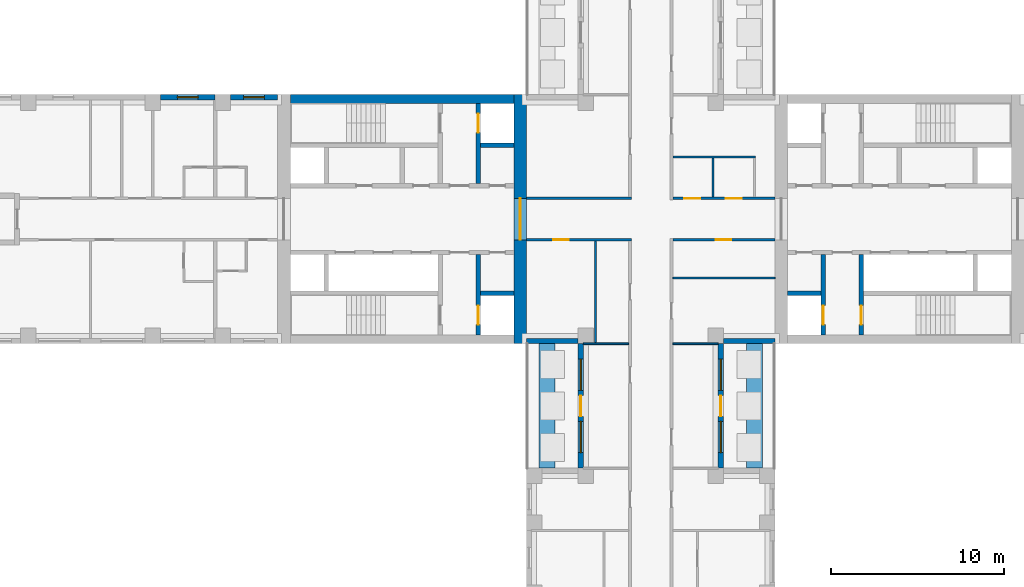
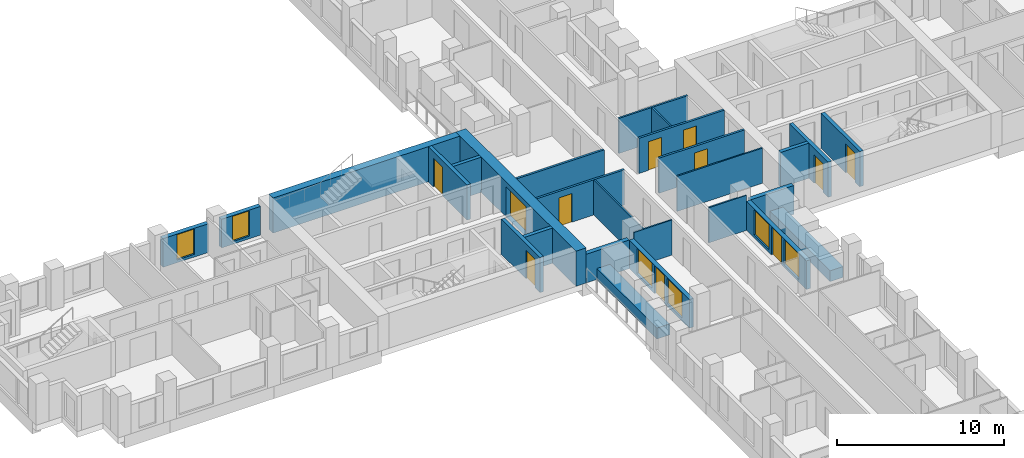
# One storey, part 7 of 15: 27 walls, 11 doors, 6 windows, 17 openings.
"""IFC4 building model written with IfcOpenShell, lengths in metres."""

from ifc_helpers import new_model, si_unit, direction, frame, frame_2d, origin, place, context, subcontext, project, spatial, rectangle, extrude, material, layer, layer_set, type_object, element, fill, save


model = new_model("IFC4")

# Units and contexts
model_context = context("Model", 3, precision=1e-05, world=origin(), true_north=direction((0.0, 1.0)))
body_context = subcontext(model_context, "Body", "Model", "MODEL_VIEW")
ifc_project = project(units=[si_unit("LENGTHUNIT", "METRE"), si_unit("AREAUNIT", "SQUARE_METRE"), si_unit("VOLUMEUNIT", "CUBIC_METRE"), si_unit("PLANEANGLEUNIT", "RADIAN"), si_unit("MASSUNIT", "GRAM", prefix="KILO")], contexts=[model_context])

# Site, building, storey
site_placement = place(None, origin())
site = spatial("IfcSite", under=ifc_project, at=site_placement, CompositionType="ELEMENT")
building_placement = place(site_placement, origin())
building = spatial("IfcBuilding", under=site, at=building_placement, Name="Fustian Cross Tower", CompositionType="ELEMENT")
storey_placement = place(building_placement, frame((0.0, 0.0, 47.699951171875)))
storey = spatial("IfcBuildingStorey", under=building, at=storey_placement, Name="L14", CompositionType="ELEMENT", Elevation=47.699951171875)

# Wall, opening, door
ifc_material_1 = material(Name="Plasterboard on steel stud", Category="steel")
ifc_layer_1 = layer(ifc_material_1, 0.14990234375)
ifc_layer_set_1 = layer_set([ifc_layer_1], Name="Plasterboard on steel stud")
wall_type_1 = type_object("IfcWallType", Name="COMPARTMENT WALL 150 EI 60", PredefinedType="PARTITIONING", material=ifc_layer_set_1)
wall_1_placement = place(storey_placement, frame((-7.199951171875, -1.199951171875, 0.0), z_axis=(0.0, 0.0, 1.0), x_axis=(1.0, 0.0, 0.0)))
wall_1 = element("IfcWall", 1, at=wall_1_placement, inside=storey, type_object=wall_type_1, Name="Partition 16", PredefinedType="PARTITIONING", context=body_context, shape_type="SweptSolid", body=[
    extrude(rectangle(XDim=6.074951171875, YDim=0.14990234375, at=frame_2d((3.03759765625, 0.0))), origin(), (0.0, 0.0, 1.0), 2.574951171875),
])
opening_1_placement = place(wall_1_placement, frame((1.550048828125, 0.0, 0.0)))
opening_1 = element("IfcOpeningElement", 2, at=opening_1_placement, cuts=wall_1, Name="Opening D08008", PredefinedType="OPENING", context=body_context, shape_type="SweptSolid", body=[
    extrude(rectangle(XDim=0.89990234375, YDim=2.10009765625, at=frame_2d((0.449951171875, 1.050048828125))), frame((0.0, 0.0849609375, 0.0), z_axis=(0.0, -1.0, 0.0), x_axis=(1.0, 0.0, 0.0)), (0.0, 0.0, 1.0), 0.169921875),
])
ifc_material_2 = material(Name="Timber fire door set", Category="wood")
door_type_1 = type_object("IfcDoorType", Name="FIRE SWING DOOR 900 FD30S", OperationType="SINGLE_SWING_LEFT", PredefinedType="DOOR", material=ifc_material_2)
door_1_placement = place(opening_1_placement, frame((0.89990234375, 0.0, 0.0), z_axis=(0.0, 0.0, 1.0), x_axis=(-1.0, 0.0, 0.0)))
door_1 = element("IfcDoor", 3, at=door_1_placement, inside=storey, type_object=door_type_1, Name="Door D08008", OperationType="SINGLE_SWING_RIGHT", OverallHeight=2.10009765625, OverallWidth=0.89990234375, PredefinedType="DOOR", context=body_context, shape_type="SweptSolid", body=[
    extrude(rectangle(XDim=0.89990234375, YDim=2.10009765625, at=frame_2d((0.449951171875, 1.050048828125))), frame((0.0, 0.02490234375, 0.0), z_axis=(0.0, -1.0, 0.0), x_axis=(1.0, 0.0, 0.0)), (0.0, 0.0, 1.0), 0.050048828125),
])
fill(opening_1, door_1)

# Wall
wall_2_placement = place(storey_placement, frame((-7.199951171875, 1.199951171875, 0.0), z_axis=(0.0, 0.0, 1.0), x_axis=(1.0, 0.0, 0.0)))
element("IfcWall", 4, at=wall_2_placement, inside=storey, type_object=wall_type_1, Name="Partition 17", PredefinedType="PARTITIONING", context=body_context, shape_type="SweptSolid", body=[
    extrude(rectangle(XDim=6.074951171875, YDim=0.14990234375, at=frame_2d((3.03759765625, 0.0))), origin(), (0.0, 0.0, 1.0), 2.574951171875),
])

# Wall, opening, door
wall_3_placement = place(storey_placement, frame((1.27490234375, -1.199951171875, 0.0), z_axis=(0.0, 0.0, 1.0), x_axis=(1.0, 0.0, 0.0)))
wall_3 = element("IfcWall", 5, at=wall_3_placement, inside=storey, type_object=wall_type_1, Name="Partition 50", PredefinedType="PARTITIONING", context=body_context, shape_type="SweptSolid", body=[
    extrude(rectangle(XDim=5.925048828125, YDim=0.14990234375, at=frame_2d((2.96240234375, 0.0))), origin(), (0.0, 0.0, 1.0), 2.574951171875),
])
opening_2_placement = place(wall_3_placement, frame((2.47509765625, 0.0, 0.0)))
opening_2 = element("IfcOpeningElement", 6, at=opening_2_placement, cuts=wall_3, Name="Opening D08005", PredefinedType="OPENING", context=body_context, shape_type="SweptSolid", body=[
    extrude(rectangle(XDim=0.89990234375, YDim=2.10009765625, at=frame_2d((0.449951171875, 1.050048828125))), frame((0.0, 0.0849609375, 0.0), z_axis=(0.0, -1.0, 0.0), x_axis=(1.0, 0.0, 0.0)), (0.0, 0.0, 1.0), 0.169921875),
])
door_2_placement = place(opening_2_placement, frame((0.89990234375, 0.0, 0.0), z_axis=(0.0, 0.0, 1.0), x_axis=(-1.0, 0.0, 0.0)))
door_2 = element("IfcDoor", 7, at=door_2_placement, inside=storey, type_object=door_type_1, Name="Door D08005", OperationType="SINGLE_SWING_RIGHT", OverallHeight=2.10009765625, OverallWidth=0.89990234375, PredefinedType="DOOR", context=body_context, shape_type="SweptSolid", body=[
    extrude(rectangle(XDim=0.89990234375, YDim=2.10009765625, at=frame_2d((0.449951171875, 1.050048828125))), frame((0.0, 0.02490234375, 0.0), z_axis=(0.0, -1.0, 0.0), x_axis=(1.0, 0.0, 0.0)), (0.0, 0.0, 1.0), 0.050048828125),
])
fill(opening_2, door_2)

# Wall, openings, doors
wall_4_placement = place(storey_placement, frame((1.27490234375, 1.199951171875, 0.0), z_axis=(0.0, 0.0, 1.0), x_axis=(1.0, 0.0, 0.0)))
wall_4 = element("IfcWall", 8, at=wall_4_placement, inside=storey, type_object=wall_type_1, Name="Partition 52", PredefinedType="PARTITIONING", context=body_context, shape_type="SweptSolid", body=[
    extrude(rectangle(XDim=5.925048828125, YDim=0.14990234375, at=frame_2d((2.96240234375, 0.0))), origin(), (0.0, 0.0, 1.0), 2.574951171875),
])
opening_3_placement = place(wall_4_placement, frame((0.675048828125, 0.0, 0.0)))
opening_3 = element("IfcOpeningElement", 9, at=opening_3_placement, cuts=wall_4, Name="Opening D08001", PredefinedType="OPENING", context=body_context, shape_type="SweptSolid", body=[
    extrude(rectangle(XDim=0.89990234375, YDim=2.10009765625, at=frame_2d((0.449951171875, 1.050048828125))), frame((0.0, 0.0849609375, 0.0), z_axis=(0.0, -1.0, 0.0), x_axis=(1.0, 0.0, 0.0)), (0.0, 0.0, 1.0), 0.169921875),
])
opening_4_placement = place(wall_4_placement, frame((3.074951171875, 0.0, 0.0)))
opening_4 = element("IfcOpeningElement", 10, at=opening_4_placement, cuts=wall_4, Name="Opening D08002", PredefinedType="OPENING", context=body_context, shape_type="SweptSolid", body=[
    extrude(rectangle(XDim=0.89990234375, YDim=2.10009765625, at=frame_2d((0.449951171875, 1.050048828125))), frame((0.0, 0.0849609375, 0.0), z_axis=(0.0, -1.0, 0.0), x_axis=(1.0, 0.0, 0.0)), (0.0, 0.0, 1.0), 0.169921875),
])
door_3_placement = place(opening_3_placement, origin())
door_3 = element("IfcDoor", 11, at=door_3_placement, inside=storey, type_object=door_type_1, Name="Door D08001", OperationType="SINGLE_SWING_LEFT", OverallHeight=2.10009765625, OverallWidth=0.89990234375, PredefinedType="DOOR", context=body_context, shape_type="SweptSolid", body=[
    extrude(rectangle(XDim=0.89990234375, YDim=2.10009765625, at=frame_2d((0.449951171875, 1.050048828125))), frame((0.0, 0.02490234375, 0.0), z_axis=(0.0, -1.0, 0.0), x_axis=(1.0, 0.0, 0.0)), (0.0, 0.0, 1.0), 0.050048828125),
])
fill(opening_3, door_3)
door_4_placement = place(opening_4_placement, origin())
door_4 = element("IfcDoor", 12, at=door_4_placement, inside=storey, type_object=door_type_1, Name="Door D08002", OperationType="SINGLE_SWING_LEFT", OverallHeight=2.10009765625, OverallWidth=0.89990234375, PredefinedType="DOOR", context=body_context, shape_type="SweptSolid", body=[
    extrude(rectangle(XDim=0.89990234375, YDim=2.10009765625, at=frame_2d((0.449951171875, 1.050048828125))), frame((0.0, 0.02490234375, 0.0), z_axis=(0.0, -1.0, 0.0), x_axis=(1.0, 0.0, 0.0)), (0.0, 0.0, 1.0), 0.050048828125),
])
fill(opening_4, door_4)

# Wall, opening, door
ifc_material_3 = material(Name="Concrete C80/95", Category="concrete")
ifc_layer_2 = layer(ifc_material_3, 0.699951171875)
ifc_layer_set_2 = layer_set([ifc_layer_2], Name="Concrete C80/95")
wall_type_2 = type_object("IfcWallType", Name="CORE END WALL 700 C80/95", PredefinedType="SHEAR", material=ifc_layer_set_2)
wall_5_placement = place(storey_placement, frame((-7.550048828125, -7.199951171875, 0.0), z_axis=(0.0, 0.0, 1.0), x_axis=(0.0, 1.0, 0.0)))
wall_5 = element("IfcWall", 13, at=wall_5_placement, inside=storey, type_object=wall_type_2, Name="Core end wall", PredefinedType="SHEAR", context=body_context, shape_type="SweptSolid", body=[
    extrude(rectangle(XDim=14.39990234375, YDim=0.699951171875, at=frame_2d((7.199951171875, 0.0))), origin(), (0.0, 0.0, 1.0), 2.574951171875),
])
opening_5_placement = place(wall_5_placement, frame((6.0, 0.0, 0.0)))
opening_5 = element("IfcOpeningElement", 14, at=opening_5_placement, cuts=wall_5, Name="Opening CD-05-27", PredefinedType="OPENING", context=body_context, shape_type="SweptSolid", body=[
    extrude(rectangle(XDim=2.39990234375, YDim=2.199951171875, at=frame_2d((1.199951171875, 1.10009765625))), frame((0.0, 0.35986328125, 0.0), z_axis=(0.0, -1.0, 0.0), x_axis=(1.0, 0.0, 0.0)), (0.0, 0.0, 1.0), 0.719970703125),
])
ifc_material_4 = material(Name="Steel", Category="steel")
door_type_2 = type_object("IfcDoorType", Name="FIRE DOOR FD30S DOUBLE 2400X2200", OperationType="DOUBLE_DOOR_DOUBLE_SWING", PredefinedType="DOOR", material=ifc_material_4)
door_5_placement = place(opening_5_placement, origin())
door_5 = element("IfcDoor", 15, at=door_5_placement, inside=storey, type_object=door_type_2, Name="Core door CD-05-27", OperationType="DOUBLE_DOOR_DOUBLE_SWING", OverallHeight=2.199951171875, OverallWidth=2.39990234375, PredefinedType="DOOR", context=body_context, shape_type="SweptSolid", body=[
    extrude(rectangle(XDim=2.39990234375, YDim=2.199951171875, at=frame_2d((1.199951171875, 1.10009765625))), frame((0.0, 0.02490234375, 0.0), z_axis=(0.0, -1.0, 0.0), x_axis=(1.0, 0.0, 0.0)), (0.0, 0.0, 1.0), 0.050048828125),
])
fill(opening_5, door_5)

# Walls
ifc_material_5 = material(Name="Concrete C80/95", Category="concrete")
ifc_layer_3 = layer(ifc_material_5, 0.5)
ifc_layer_set_3 = layer_set([ifc_layer_3], Name="Concrete C80/95")
wall_type_3 = type_object("IfcWallType", Name="CORE FACADE WALL 500 C80/95", PredefinedType="SHEAR", material=ifc_layer_set_3)
wall_6_placement = place(storey_placement, frame((-7.89990234375, 6.949951171875, 0.0), z_axis=(0.0, 0.0, 1.0), x_axis=(-1.0, 0.0, 0.0)))
element("IfcWall", 16, at=wall_6_placement, inside=storey, type_object=wall_type_3, Name="Core facade wall", PredefinedType="SHEAR", context=body_context, shape_type="SweptSolid", body=[
    extrude(rectangle(XDim=12.9501953125, YDim=0.5, at=frame_2d((6.47509765625, 0.0))), origin(), (0.0, 0.0, 1.0), 2.574951171875),
])
ifc_material_6 = material(Name="Concrete C50/60", Category="concrete")
ifc_layer_4 = layer(ifc_material_6, 0.25)
ifc_layer_set_4 = layer_set([ifc_layer_4], Name="Concrete C50/60")
wall_type_4 = type_object("IfcWallType", Name="CORE SHAFT WALL 250 C50/60", PredefinedType="SHEAR", material=ifc_layer_set_4)
wall_7_placement = place(storey_placement, frame((7.89990234375, -4.27490234375, 0.0), z_axis=(0.0, 0.0, 1.0), x_axis=(1.0, 0.0, 0.0)))
element("IfcWall", 17, at=wall_7_placement, inside=storey, type_object=wall_type_4, Name="Core shaft wall", PredefinedType="SHEAR", context=body_context, shape_type="SweptSolid", body=[
    extrude(rectangle(XDim=1.9501953125, YDim=0.25, at=frame_2d((0.97509765625, 0.0))), origin(), (0.0, 0.0, 1.0), 2.574951171875),
])

# Wall, opening, door
wall_8_placement = place(storey_placement, frame((9.97509765625, -2.050048828125, 0.0), z_axis=(0.0, 0.0, 1.0), x_axis=(0.0, -1.0, 0.0)))
wall_8 = element("IfcWall", 18, at=wall_8_placement, inside=storey, type_object=wall_type_4, Name="Core shaft wall", PredefinedType="SHEAR", context=body_context, shape_type="SweptSolid", body=[
    extrude(rectangle(XDim=4.64990234375, YDim=0.25, at=frame_2d((2.324951171875, 0.0))), origin(), (0.0, 0.0, 1.0), 2.574951171875),
])
opening_6_placement = place(wall_8_placement, frame((2.949951171875, 0.0, 0.0)))
opening_6 = element("IfcOpeningElement", 19, at=opening_6_placement, cuts=wall_8, Name="Opening LD", PredefinedType="OPENING", context=body_context, shape_type="SweptSolid", body=[
    extrude(rectangle(XDim=1.10009765625, YDim=2.10009765625, at=frame_2d((0.550048828125, 1.050048828125))), frame((0.0, 0.135009765625, 0.0), z_axis=(0.0, -1.0, 0.0), x_axis=(1.0, 0.0, 0.0)), (0.0, 0.0, 1.0), 0.27001953125),
])
ifc_material_7 = material(Name="Stainless steel", Category="steel")
door_type_3 = type_object("IfcDoorType", Name="LIFT LANDING DOOR 1100X2100", OperationType="SLIDING_TO_LEFT", PredefinedType="DOOR", material=ifc_material_7)
door_6_placement = place(opening_6_placement, origin())
door_6 = element("IfcDoor", 20, at=door_6_placement, inside=storey, type_object=door_type_3, Name="Landing door SV1", OperationType="SLIDING_TO_LEFT", OverallHeight=2.10009765625, OverallWidth=1.10009765625, PredefinedType="DOOR", context=body_context, shape_type="SweptSolid", body=[
    extrude(rectangle(XDim=1.10009765625, YDim=2.10009765625, at=frame_2d((0.550048828125, 1.050048828125))), frame((0.0, 0.02490234375, 0.0), z_axis=(0.0, -1.0, 0.0), x_axis=(1.0, 0.0, 0.0)), (0.0, 0.0, 1.0), 0.050048828125),
])
fill(opening_6, door_6)

wall_9_placement = place(storey_placement, frame((12.175048828125, -2.050048828125, 0.0), z_axis=(0.0, 0.0, 1.0), x_axis=(0.0, -1.0, 0.0)))
wall_9 = element("IfcWall", 21, at=wall_9_placement, inside=storey, type_object=wall_type_4, Name="Core shaft wall", PredefinedType="SHEAR", context=body_context, shape_type="SweptSolid", body=[
    extrude(rectangle(XDim=4.64990234375, YDim=0.25, at=frame_2d((2.324951171875, 0.0))), origin(), (0.0, 0.0, 1.0), 2.574951171875),
])
opening_7_placement = place(wall_9_placement, frame((2.949951171875, 0.0, 0.0)))
opening_7 = element("IfcOpeningElement", 22, at=opening_7_placement, cuts=wall_9, Name="Opening CD-05-07", PredefinedType="OPENING", context=body_context, shape_type="SweptSolid", body=[
    extrude(rectangle(XDim=1.10009765625, YDim=2.10009765625, at=frame_2d((0.550048828125, 1.050048828125))), frame((0.0, 0.135009765625, 0.0), z_axis=(0.0, -1.0, 0.0), x_axis=(1.0, 0.0, 0.0)), (0.0, 0.0, 1.0), 0.27001953125),
])
ifc_material_8 = material(Name="Steel", Category="steel")
door_type_4 = type_object("IfcDoorType", Name="FIRE DOOR FD60S 1100X2100", OperationType="SINGLE_SWING_LEFT", PredefinedType="DOOR", material=ifc_material_8)
door_7_placement = place(opening_7_placement, origin())
door_7 = element("IfcDoor", 23, at=door_7_placement, inside=storey, type_object=door_type_4, Name="Core door CD-05-07", OperationType="SINGLE_SWING_LEFT", OverallHeight=2.10009765625, OverallWidth=1.10009765625, PredefinedType="DOOR", context=body_context, shape_type="SweptSolid", body=[
    extrude(rectangle(XDim=1.10009765625, YDim=2.10009765625, at=frame_2d((0.550048828125, 1.050048828125))), frame((0.0, 0.02490234375, 0.0), z_axis=(0.0, -1.0, 0.0), x_axis=(1.0, 0.0, 0.0)), (0.0, 0.0, 1.0), 0.050048828125),
])
fill(opening_7, door_7)

# Wall
wall_10_placement = place(storey_placement, frame((-7.89990234375, 4.27490234375, 0.0), z_axis=(0.0, 0.0, 1.0), x_axis=(-1.0, 0.0, 0.0)))
element("IfcWall", 24, at=wall_10_placement, inside=storey, type_object=wall_type_4, Name="Core shaft wall", PredefinedType="SHEAR", context=body_context, shape_type="SweptSolid", body=[
    extrude(rectangle(XDim=1.9501953125, YDim=0.25, at=frame_2d((0.97509765625, 0.0))), origin(), (0.0, 0.0, 1.0), 2.574951171875),
])

# Wall, opening, door
wall_11_placement = place(storey_placement, frame((-9.97509765625, 2.050048828125, 0.0), z_axis=(0.0, 0.0, 1.0), x_axis=(0.0, 1.0, 0.0)))
wall_11 = element("IfcWall", 25, at=wall_11_placement, inside=storey, type_object=wall_type_4, Name="Core shaft wall", PredefinedType="SHEAR", context=body_context, shape_type="SweptSolid", body=[
    extrude(rectangle(XDim=4.64990234375, YDim=0.25, at=frame_2d((2.324951171875, 0.0))), origin(), (0.0, 0.0, 1.0), 2.574951171875),
])
opening_8_placement = place(wall_11_placement, frame((2.949951171875, 0.0, 0.0)))
opening_8 = element("IfcOpeningElement", 26, at=opening_8_placement, cuts=wall_11, Name="Opening LD", PredefinedType="OPENING", context=body_context, shape_type="SweptSolid", body=[
    extrude(rectangle(XDim=1.10009765625, YDim=2.10009765625, at=frame_2d((0.550048828125, 1.050048828125))), frame((0.0, 0.135009765625, 0.0), z_axis=(0.0, -1.0, 0.0), x_axis=(1.0, 0.0, 0.0)), (0.0, 0.0, 1.0), 0.27001953125),
])
door_8_placement = place(opening_8_placement, origin())
door_8 = element("IfcDoor", 27, at=door_8_placement, inside=storey, type_object=door_type_3, Name="Landing door FL1W", OperationType="SLIDING_TO_LEFT", OverallHeight=2.10009765625, OverallWidth=1.10009765625, PredefinedType="DOOR", context=body_context, shape_type="SweptSolid", body=[
    extrude(rectangle(XDim=1.10009765625, YDim=2.10009765625, at=frame_2d((0.550048828125, 1.050048828125))), frame((0.0, 0.02490234375, 0.0), z_axis=(0.0, -1.0, 0.0), x_axis=(1.0, 0.0, 0.0)), (0.0, 0.0, 1.0), 0.050048828125),
])
fill(opening_8, door_8)

# Wall
wall_12_placement = place(storey_placement, frame((-7.89990234375, -4.27490234375, 0.0), z_axis=(0.0, 0.0, 1.0), x_axis=(-1.0, 0.0, 0.0)))
element("IfcWall", 28, at=wall_12_placement, inside=storey, type_object=wall_type_4, Name="Core shaft wall", PredefinedType="SHEAR", context=body_context, shape_type="SweptSolid", body=[
    extrude(rectangle(XDim=1.9501953125, YDim=0.25, at=frame_2d((0.97509765625, 0.0))), origin(), (0.0, 0.0, 1.0), 2.574951171875),
])

# Wall, opening, door
wall_13_placement = place(storey_placement, frame((-9.97509765625, -2.050048828125, 0.0), z_axis=(0.0, 0.0, 1.0), x_axis=(0.0, -1.0, 0.0)))
wall_13 = element("IfcWall", 29, at=wall_13_placement, inside=storey, type_object=wall_type_4, Name="Core shaft wall", PredefinedType="SHEAR", context=body_context, shape_type="SweptSolid", body=[
    extrude(rectangle(XDim=4.64990234375, YDim=0.25, at=frame_2d((2.324951171875, 0.0))), origin(), (0.0, 0.0, 1.0), 2.574951171875),
])
opening_9_placement = place(wall_13_placement, frame((2.949951171875, 0.0, 0.0)))
opening_9 = element("IfcOpeningElement", 30, at=opening_9_placement, cuts=wall_13, Name="Opening LD", PredefinedType="OPENING", context=body_context, shape_type="SweptSolid", body=[
    extrude(rectangle(XDim=1.10009765625, YDim=2.10009765625, at=frame_2d((0.550048828125, 1.050048828125))), frame((0.0, 0.135009765625, 0.0), z_axis=(0.0, -1.0, 0.0), x_axis=(1.0, 0.0, 0.0)), (0.0, 0.0, 1.0), 0.27001953125),
])
door_9_placement = place(opening_9_placement, origin())
door_9 = element("IfcDoor", 31, at=door_9_placement, inside=storey, type_object=door_type_3, Name="Landing door SV1W", OperationType="SLIDING_TO_LEFT", OverallHeight=2.10009765625, OverallWidth=1.10009765625, PredefinedType="DOOR", context=body_context, shape_type="SweptSolid", body=[
    extrude(rectangle(XDim=1.10009765625, YDim=2.10009765625, at=frame_2d((0.550048828125, 1.050048828125))), frame((0.0, 0.02490234375, 0.0), z_axis=(0.0, -1.0, 0.0), x_axis=(1.0, 0.0, 0.0)), (0.0, 0.0, 1.0), 0.050048828125),
])
fill(opening_9, door_9)

# Walls
ifc_material_9 = material(Name="Plasterboard on steel stud", Category="steel")
ifc_layer_5 = layer(ifc_material_9, 0.10009765625)
ifc_layer_set_5 = layer_set([ifc_layer_5], Name="Plasterboard on steel stud")
wall_type_5 = type_object("IfcWallType", Name="PARTITION 100 STUD", PredefinedType="PARTITIONING", material=ifc_layer_set_5)
wall_14_placement = place(storey_placement, frame((-3.89990234375, -7.199951171875, 0.0), z_axis=(0.0, 0.0, 1.0), x_axis=(1.0, 0.0, 0.0)))
element("IfcWall", 32, at=wall_14_placement, inside=storey, type_object=wall_type_5, Name="Partition 31", PredefinedType="PARTITIONING", context=body_context, shape_type="SweptSolid", body=[
    extrude(rectangle(XDim=2.625, YDim=0.10009765625, at=frame_2d((1.3125, 0.0))), origin(), (0.0, 0.0, 1.0), 2.574951171875),
])
wall_15_placement = place(storey_placement, frame((-3.199951171875, -7.14990234375, 0.0), z_axis=(0.0, 0.0, 1.0), x_axis=(0.0, 1.0, 0.0)))
element("IfcWall", 33, at=wall_15_placement, inside=storey, type_object=wall_type_5, Name="Partition 37", PredefinedType="PARTITIONING", context=body_context, shape_type="SweptSolid", body=[
    extrude(rectangle(XDim=5.875, YDim=0.10009765625, at=frame_2d((2.9375, 0.0))), origin(), (0.0, 0.0, 1.0), 2.574951171875),
])
wall_16_placement = place(storey_placement, frame((1.27490234375, -7.199951171875, 0.0), z_axis=(0.0, 0.0, 1.0), x_axis=(1.0, 0.0, 0.0)))
element("IfcWall", 34, at=wall_16_placement, inside=storey, type_object=wall_type_5, Name="Partition 48", PredefinedType="PARTITIONING", context=body_context, shape_type="SweptSolid", body=[
    extrude(rectangle(XDim=2.625, YDim=0.10009765625, at=frame_2d((1.3125, 0.0))), origin(), (0.0, 0.0, 1.0), 2.574951171875),
])
wall_17_placement = place(storey_placement, frame((1.27490234375, -3.39990234375, 0.0), z_axis=(0.0, 0.0, 1.0), x_axis=(1.0, 0.0, 0.0)))
element("IfcWall", 35, at=wall_17_placement, inside=storey, type_object=wall_type_5, Name="Partition 49", PredefinedType="PARTITIONING", context=body_context, shape_type="SweptSolid", body=[
    extrude(rectangle(XDim=5.925048828125, YDim=0.10009765625, at=frame_2d((2.96240234375, 0.0))), origin(), (0.0, 0.0, 1.0), 2.574951171875),
])
ifc_material_10 = material(Name="Concrete C40/50", Category="concrete")
ifc_layer_6 = layer(ifc_material_10, 0.89990234375)
ifc_layer_set_6 = layer_set([ifc_layer_6], Name="Concrete C40/50")
wall_type_6 = type_object("IfcWallType", Name="PK1 PLANTER 900", PredefinedType="PARAPET", material=ifc_layer_set_6)
for number, where, z_axis, x_axis, name in (
    (36, (6.0, -14.39990234375, 0.0), (0.0, 0.0, 1.0), (0.0, 1.0, 0.0), "PLANTER"),
    (37, (-6.0, -14.39990234375, 0.0), (0.0, 0.0, 1.0), (0.0, 1.0, 0.0), "PLANTER"),
):
    element("IfcWall", number, at=place(storey_placement, frame(where, z_axis=z_axis, x_axis=x_axis)), inside=storey, type_object=wall_type_6, Name=name, PredefinedType="PARAPET", context=body_context, shape_type="SweptSolid", body=[
        extrude(rectangle(XDim=7.199951171875, YDim=0.89990234375, at=frame_2d((3.60009765625, 0.0))), origin(), (0.0, 0.0, 1.0), 0.800048828125),
    ])
ifc_material_11 = material(Name="Plasterboard on steel stud", Category="steel")
ifc_layer_7 = layer(ifc_material_11, 0.125)
ifc_layer_set_7 = layer_set([ifc_layer_7], Name="Plasterboard on steel stud")
wall_type_7 = type_object("IfcWallType", Name="WET WALL 125 STUD", PredefinedType="PARTITIONING", material=ifc_layer_set_7)
wall_18_placement = place(storey_placement, frame((1.27490234375, 3.60009765625, 0.0), z_axis=(0.0, 0.0, 1.0), x_axis=(1.0, 0.0, 0.0)))
element("IfcWall", 38, at=wall_18_placement, inside=storey, type_object=wall_type_7, Name="Partition 53", PredefinedType="PARTITIONING", context=body_context, shape_type="SweptSolid", body=[
    extrude(rectangle(XDim=4.78759765625, YDim=0.125, at=frame_2d((2.393798828125, 0.0))), origin(), (0.0, 0.0, 1.0), 2.574951171875),
])
wall_19_placement = place(storey_placement, frame((3.60009765625, 1.27490234375, 0.0), z_axis=(0.0, 0.0, 1.0), x_axis=(0.0, 1.0, 0.0)))
element("IfcWall", 39, at=wall_19_placement, inside=storey, type_object=wall_type_7, Name="Partition 67", PredefinedType="PARTITIONING", context=body_context, shape_type="SweptSolid", body=[
    extrude(rectangle(XDim=2.2626953125, YDim=0.125, at=frame_2d((1.13134765625, 0.0))), origin(), (0.0, 0.0, 1.0), 2.574951171875),
])

# Wall, opening, window
ifc_material_12 = material(Name="Dark aluminium cladding on insulated backing wall", Category="aluminium")
ifc_layer_8 = layer(ifc_material_12, 0.300048828125)
ifc_layer_set_8 = layer_set([ifc_layer_8], Name="Dark aluminium cladding on insulated backing wall")
wall_type_8 = type_object("IfcWallType", Name="XW1 EXTERNAL WALL 300", PredefinedType="SOLIDWALL", material=ifc_layer_set_8)
wall_20_placement = place(storey_placement, frame((-21.60009765625, 7.050048828125, 0.0), z_axis=(0.0, 0.0, 1.0), x_axis=(-1.0, 0.0, 0.0)))
wall_20 = element("IfcWall", 40, at=wall_20_placement, inside=storey, type_object=wall_type_8, Name="External wall", PredefinedType="SOLIDWALL", context=body_context, shape_type="SweptSolid", body=[
    extrude(rectangle(XDim=2.699951171875, YDim=0.300048828125, at=frame_2d((1.35009765625, 0.0))), origin(), (0.0, 0.0, 1.0), 2.10009765625),
])
opening_10_placement = place(wall_20_placement, frame((0.75, 0.0, 0.199951171875)))
opening_10 = element("IfcOpeningElement", 41, at=opening_10_placement, cuts=wall_20, Name="Opening WN3", PredefinedType="OPENING", context=body_context, shape_type="SweptSolid", body=[
    extrude(rectangle(XDim=1.199951171875, YDim=1.85009765625, at=frame_2d((0.60009765625, 0.925048828125))), frame((0.0, 0.159912109375, 0.0), z_axis=(0.0, -1.0, 0.0), x_axis=(1.0, 0.0, 0.0)), (0.0, 0.0, 1.0), 0.320068359375),
])
ifc_material_13 = material(Name="Dark anodised aluminium and double glazing", Category="aluminium")
window_type_1 = type_object("IfcWindowType", Name="WN3 WINDOW 1200X1850", PartitioningType="SINGLE_PANEL", PredefinedType="WINDOW", material=ifc_material_13)
window_1_placement = place(opening_10_placement, origin())
window_1 = element("IfcWindow", 42, at=window_1_placement, inside=storey, type_object=window_type_1, Name="Window", OverallHeight=1.85009765625, OverallWidth=1.199951171875, PartitioningType="SINGLE_PANEL", PredefinedType="WINDOW", context=body_context, shape_type="SweptSolid", body=[
    extrude(rectangle(XDim=1.199951171875, YDim=1.85009765625, at=frame_2d((0.60009765625, 0.925048828125))), frame((0.0, 0.030029296875, 0.0), z_axis=(0.0, -1.0, 0.0), x_axis=(1.0, 0.0, 0.0)), (0.0, 0.0, 1.0), 0.06005859375),
])
fill(opening_10, window_1)

wall_21_placement = place(storey_placement, frame((-25.199951171875, 7.050048828125, 0.0), z_axis=(0.0, 0.0, 1.0), x_axis=(-1.0, 0.0, 0.0)))
wall_21 = element("IfcWall", 43, at=wall_21_placement, inside=storey, type_object=wall_type_8, Name="External wall", PredefinedType="SOLIDWALL", context=body_context, shape_type="SweptSolid", body=[
    extrude(rectangle(XDim=3.150146484375, YDim=0.300048828125, at=frame_2d((1.5751953125, 0.0))), origin(), (0.0, 0.0, 1.0), 2.10009765625),
])
opening_11_placement = place(wall_21_placement, frame((0.97509765625, 0.0, 0.199951171875)))
opening_11 = element("IfcOpeningElement", 44, at=opening_11_placement, cuts=wall_21, Name="Opening WN3", PredefinedType="OPENING", context=body_context, shape_type="SweptSolid", body=[
    extrude(rectangle(XDim=1.199951171875, YDim=1.85009765625, at=frame_2d((0.60009765625, 0.925048828125))), frame((0.0, 0.159912109375, 0.0), z_axis=(0.0, -1.0, 0.0), x_axis=(1.0, 0.0, 0.0)), (0.0, 0.0, 1.0), 0.320068359375),
])
window_2_placement = place(opening_11_placement, origin())
window_2 = element("IfcWindow", 45, at=window_2_placement, inside=storey, type_object=window_type_1, Name="Window", OverallHeight=1.85009765625, OverallWidth=1.199951171875, PartitioningType="SINGLE_PANEL", PredefinedType="WINDOW", context=body_context, shape_type="SweptSolid", body=[
    extrude(rectangle(XDim=1.199951171875, YDim=1.85009765625, at=frame_2d((0.60009765625, 0.925048828125))), frame((0.0, 0.030029296875, 0.0), z_axis=(0.0, -1.0, 0.0), x_axis=(1.0, 0.0, 0.0)), (0.0, 0.0, 1.0), 0.06005859375),
])
fill(opening_11, window_2)

# Wall
wall_22_placement = place(storey_placement, frame((-7.199951171875, -7.050048828125, 0.0), z_axis=(0.0, 0.0, 1.0), x_axis=(1.0, 0.0, 0.0)))
element("IfcWall", 46, at=wall_22_placement, inside=storey, type_object=wall_type_8, Name="External wall", PredefinedType="SOLIDWALL", context=body_context, shape_type="SweptSolid", body=[
    extrude(rectangle(XDim=3.0, YDim=0.300048828125, at=frame_2d((1.5, 0.0))), origin(), (0.0, 0.0, 1.0), 2.10009765625),
])

# Wall, openings, door, windows
wall_23_placement = place(storey_placement, frame((-4.050048828125, -7.199951171875, 0.0), z_axis=(0.0, 0.0, 1.0), x_axis=(0.0, -1.0, 0.0)))
wall_23 = element("IfcWall", 47, at=wall_23_placement, inside=storey, type_object=wall_type_8, Name="External wall", PredefinedType="SOLIDWALL", context=body_context, shape_type="SweptSolid", body=[
    extrude(rectangle(XDim=7.199951171875, YDim=0.300048828125, at=frame_2d((3.60009765625, 0.0))), origin(), (0.0, 0.0, 1.0), 2.10009765625),
])
opening_12_placement = place(wall_23_placement, frame((3.0, 0.0, 0.0)))
opening_12 = element("IfcOpeningElement", 48, at=opening_12_placement, cuts=wall_23, Name="Opening XD4", PredefinedType="OPENING", context=body_context, shape_type="SweptSolid", body=[
    extrude(rectangle(XDim=1.199951171875, YDim=2.050048828125, at=frame_2d((0.60009765625, 1.02490234375))), frame((0.0, 0.159912109375, 0.0), z_axis=(0.0, -1.0, 0.0), x_axis=(1.0, 0.0, 0.0)), (0.0, 0.0, 1.0), 0.320068359375),
])
opening_13_placement = place(wall_23_placement, frame((0.89990234375, 0.0, 0.199951171875)))
opening_13 = element("IfcOpeningElement", 49, at=opening_13_placement, cuts=wall_23, Name="Opening WN2", PredefinedType="OPENING", context=body_context, shape_type="SweptSolid", body=[
    extrude(rectangle(XDim=1.800048828125, YDim=1.85009765625, at=frame_2d((0.89990234375, 0.925048828125))), frame((0.0, 0.159912109375, 0.0), z_axis=(0.0, -1.0, 0.0), x_axis=(1.0, 0.0, 0.0)), (0.0, 0.0, 1.0), 0.320068359375),
])
opening_14_placement = place(wall_23_placement, frame((4.5, 0.0, 0.199951171875)))
opening_14 = element("IfcOpeningElement", 50, at=opening_14_placement, cuts=wall_23, Name="Opening WN2", PredefinedType="OPENING", context=body_context, shape_type="SweptSolid", body=[
    extrude(rectangle(XDim=1.800048828125, YDim=1.85009765625, at=frame_2d((0.89990234375, 0.925048828125))), frame((0.0, 0.159912109375, 0.0), z_axis=(0.0, -1.0, 0.0), x_axis=(1.0, 0.0, 0.0)), (0.0, 0.0, 1.0), 0.320068359375),
])
ifc_material_14 = material(Name="Dark anodised aluminium and double glazing", Category="aluminium")
door_type_5 = type_object("IfcDoorType", Name="ED1 BALCONY DOOR 1200X2050", OperationType="SINGLE_SWING_LEFT", PredefinedType="DOOR", material=ifc_material_14)
door_10_placement = place(opening_12_placement, origin())
door_10 = element("IfcDoor", 51, at=door_10_placement, inside=storey, type_object=door_type_5, Name="Balcony door", OperationType="SINGLE_SWING_LEFT", OverallHeight=2.050048828125, OverallWidth=1.199951171875, PredefinedType="DOOR", context=body_context, shape_type="SweptSolid", body=[
    extrude(rectangle(XDim=1.199951171875, YDim=2.050048828125, at=frame_2d((0.60009765625, 1.02490234375))), frame((0.0, 0.02490234375, 0.0), z_axis=(0.0, -1.0, 0.0), x_axis=(1.0, 0.0, 0.0)), (0.0, 0.0, 1.0), 0.050048828125),
])
fill(opening_12, door_10)
ifc_material_15 = material(Name="Dark anodised aluminium and double glazing", Category="aluminium")
window_type_2 = type_object("IfcWindowType", Name="WN2 WINDOW 1800X1850", PartitioningType="SINGLE_PANEL", PredefinedType="WINDOW", material=ifc_material_15)
window_3_placement = place(opening_13_placement, origin())
window_3 = element("IfcWindow", 52, at=window_3_placement, inside=storey, type_object=window_type_2, Name="Window", OverallHeight=1.85009765625, OverallWidth=1.800048828125, PartitioningType="SINGLE_PANEL", PredefinedType="WINDOW", context=body_context, shape_type="SweptSolid", body=[
    extrude(rectangle(XDim=1.800048828125, YDim=1.85009765625, at=frame_2d((0.89990234375, 0.925048828125))), frame((0.0, 0.030029296875, 0.0), z_axis=(0.0, -1.0, 0.0), x_axis=(1.0, 0.0, 0.0)), (0.0, 0.0, 1.0), 0.06005859375),
])
fill(opening_13, window_3)
window_4_placement = place(opening_14_placement, origin())
window_4 = element("IfcWindow", 53, at=window_4_placement, inside=storey, type_object=window_type_2, Name="Window", OverallHeight=1.85009765625, OverallWidth=1.800048828125, PartitioningType="SINGLE_PANEL", PredefinedType="WINDOW", context=body_context, shape_type="SweptSolid", body=[
    extrude(rectangle(XDim=1.800048828125, YDim=1.85009765625, at=frame_2d((0.89990234375, 0.925048828125))), frame((0.0, 0.030029296875, 0.0), z_axis=(0.0, -1.0, 0.0), x_axis=(1.0, 0.0, 0.0)), (0.0, 0.0, 1.0), 0.06005859375),
])
fill(opening_14, window_4)

wall_24_placement = place(storey_placement, frame((4.050048828125, -14.39990234375, 0.0), z_axis=(0.0, 0.0, 1.0), x_axis=(0.0, 1.0, 0.0)))
wall_24 = element("IfcWall", 54, at=wall_24_placement, inside=storey, type_object=wall_type_8, Name="External wall", PredefinedType="SOLIDWALL", context=body_context, shape_type="SweptSolid", body=[
    extrude(rectangle(XDim=7.199951171875, YDim=0.300048828125, at=frame_2d((3.60009765625, 0.0))), origin(), (0.0, 0.0, 1.0), 2.10009765625),
])
opening_15_placement = place(wall_24_placement, frame((3.0, 0.0, 0.0)))
opening_15 = element("IfcOpeningElement", 55, at=opening_15_placement, cuts=wall_24, Name="Opening XD3", PredefinedType="OPENING", context=body_context, shape_type="SweptSolid", body=[
    extrude(rectangle(XDim=1.199951171875, YDim=2.050048828125, at=frame_2d((0.60009765625, 1.02490234375))), frame((0.0, 0.159912109375, 0.0), z_axis=(0.0, -1.0, 0.0), x_axis=(1.0, 0.0, 0.0)), (0.0, 0.0, 1.0), 0.320068359375),
])
opening_16_placement = place(wall_24_placement, frame((0.89990234375, 0.0, 0.199951171875)))
opening_16 = element("IfcOpeningElement", 56, at=opening_16_placement, cuts=wall_24, Name="Opening WN2", PredefinedType="OPENING", context=body_context, shape_type="SweptSolid", body=[
    extrude(rectangle(XDim=1.800048828125, YDim=1.85009765625, at=frame_2d((0.89990234375, 0.925048828125))), frame((0.0, 0.159912109375, 0.0), z_axis=(0.0, -1.0, 0.0), x_axis=(1.0, 0.0, 0.0)), (0.0, 0.0, 1.0), 0.320068359375),
])
opening_17_placement = place(wall_24_placement, frame((4.5, 0.0, 0.199951171875)))
opening_17 = element("IfcOpeningElement", 57, at=opening_17_placement, cuts=wall_24, Name="Opening WN2", PredefinedType="OPENING", context=body_context, shape_type="SweptSolid", body=[
    extrude(rectangle(XDim=1.800048828125, YDim=1.85009765625, at=frame_2d((0.89990234375, 0.925048828125))), frame((0.0, 0.159912109375, 0.0), z_axis=(0.0, -1.0, 0.0), x_axis=(1.0, 0.0, 0.0)), (0.0, 0.0, 1.0), 0.320068359375),
])
door_11_placement = place(opening_15_placement, origin())
door_11 = element("IfcDoor", 58, at=door_11_placement, inside=storey, type_object=door_type_5, Name="Balcony door", OperationType="SINGLE_SWING_LEFT", OverallHeight=2.050048828125, OverallWidth=1.199951171875, PredefinedType="DOOR", context=body_context, shape_type="SweptSolid", body=[
    extrude(rectangle(XDim=1.199951171875, YDim=2.050048828125, at=frame_2d((0.60009765625, 1.02490234375))), frame((0.0, 0.02490234375, 0.0), z_axis=(0.0, -1.0, 0.0), x_axis=(1.0, 0.0, 0.0)), (0.0, 0.0, 1.0), 0.050048828125),
])
fill(opening_15, door_11)
window_5_placement = place(opening_16_placement, origin())
window_5 = element("IfcWindow", 59, at=window_5_placement, inside=storey, type_object=window_type_2, Name="Window", OverallHeight=1.85009765625, OverallWidth=1.800048828125, PartitioningType="SINGLE_PANEL", PredefinedType="WINDOW", context=body_context, shape_type="SweptSolid", body=[
    extrude(rectangle(XDim=1.800048828125, YDim=1.85009765625, at=frame_2d((0.89990234375, 0.925048828125))), frame((0.0, 0.030029296875, 0.0), z_axis=(0.0, -1.0, 0.0), x_axis=(1.0, 0.0, 0.0)), (0.0, 0.0, 1.0), 0.06005859375),
])
fill(opening_16, window_5)
window_6_placement = place(opening_17_placement, origin())
window_6 = element("IfcWindow", 60, at=window_6_placement, inside=storey, type_object=window_type_2, Name="Window", OverallHeight=1.85009765625, OverallWidth=1.800048828125, PartitioningType="SINGLE_PANEL", PredefinedType="WINDOW", context=body_context, shape_type="SweptSolid", body=[
    extrude(rectangle(XDim=1.800048828125, YDim=1.85009765625, at=frame_2d((0.89990234375, 0.925048828125))), frame((0.0, 0.030029296875, 0.0), z_axis=(0.0, -1.0, 0.0), x_axis=(1.0, 0.0, 0.0)), (0.0, 0.0, 1.0), 0.06005859375),
])
fill(opening_17, window_6)

# Wall
wall_25_placement = place(storey_placement, frame((4.199951171875, -7.050048828125, 0.0), z_axis=(0.0, 0.0, 1.0), x_axis=(1.0, 0.0, 0.0)))
element("IfcWall", 61, at=wall_25_placement, inside=storey, type_object=wall_type_8, Name="External wall", PredefinedType="SOLIDWALL", context=body_context, shape_type="SweptSolid", body=[
    extrude(rectangle(XDim=3.0, YDim=0.300048828125, at=frame_2d((1.5, 0.0))), origin(), (0.0, 0.0, 1.0), 2.10009765625),
])

save(model, "model.ifc")
